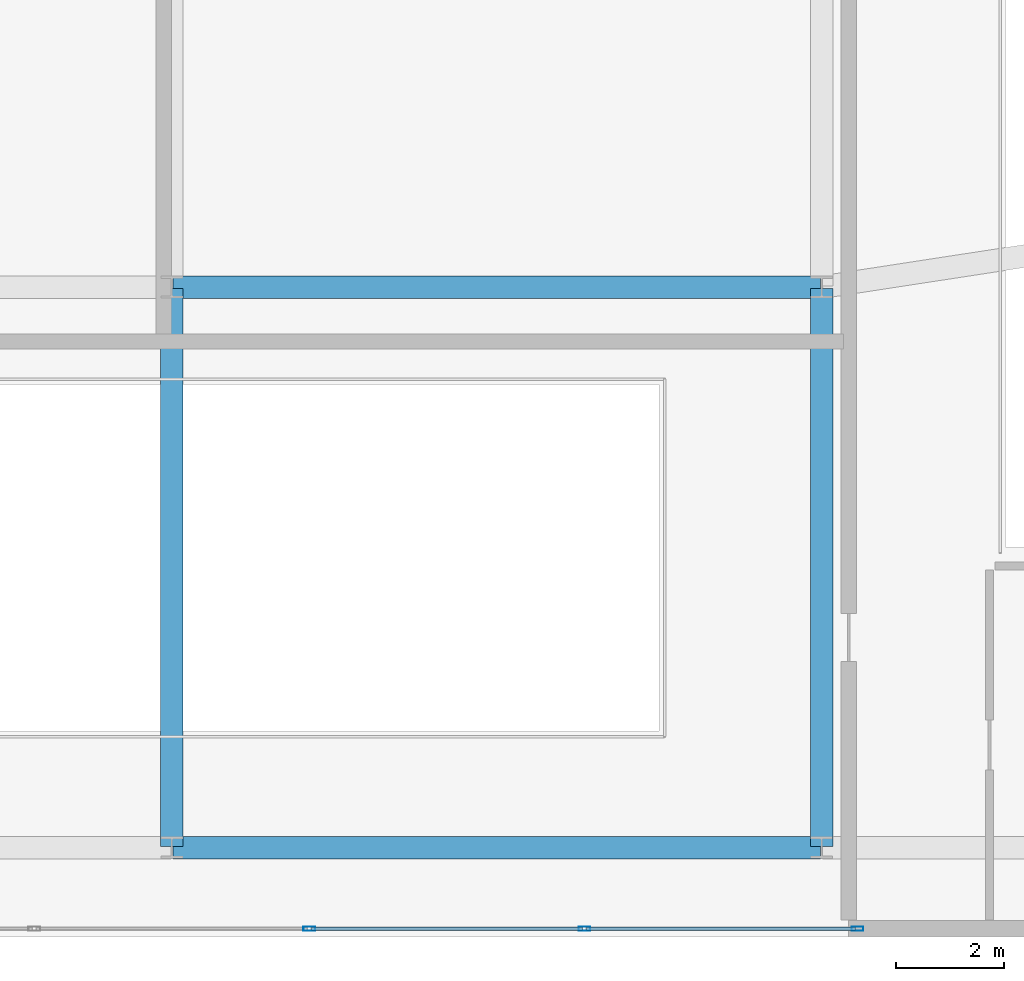
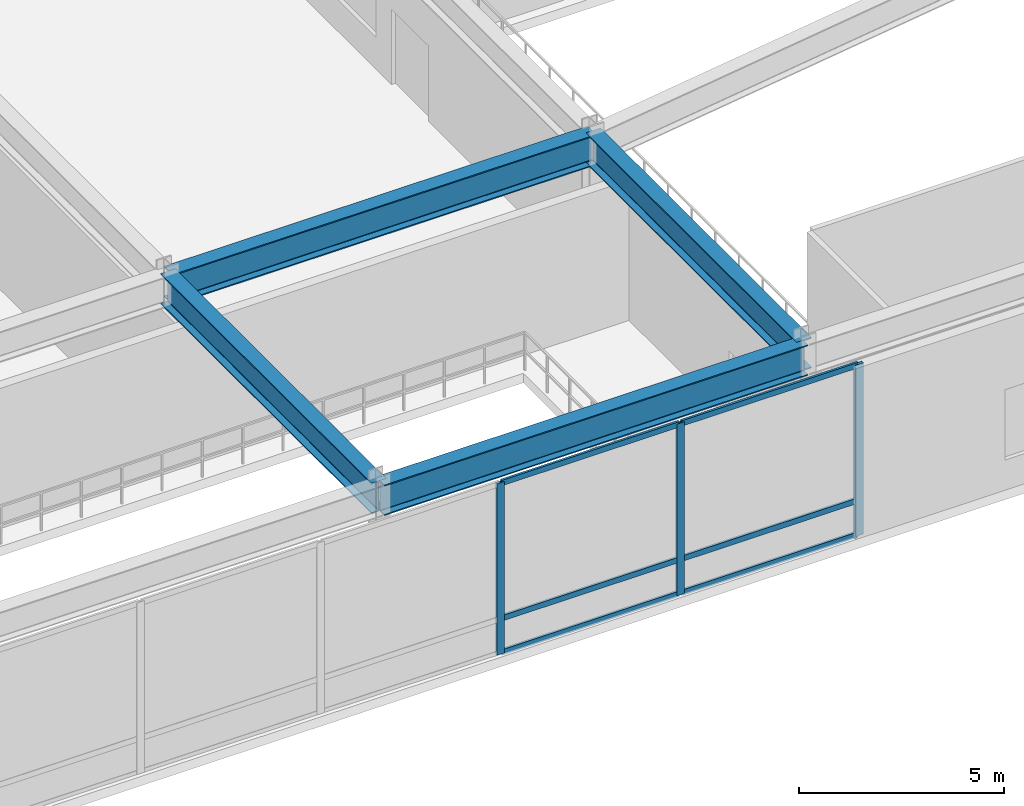
# One storey, part 6 of 13: 9 members, 4 beams, 1 element without a shape of its own.
"""IFC4 building model written with IfcOpenShell, lengths in metres."""

from ifc_helpers import new_model, si_unit, direction, frame, origin, origin_2d, place, context, subcontext, project, spatial, hollow_rectangle, i_section, extrude, source, transform, mapped, material, layer, layer_set, material_profile, profile_set, type_object, type_shapes, element, aggregate, save


model = new_model("IFC4")

# Units and contexts
model_context = context("Model", 3, precision=1e-05, world=origin(), true_north=direction((0.0, 1.0)))
body_context = subcontext(model_context, "Body", "Model", "MODEL_VIEW")
ifc_project = project(units=[si_unit("LENGTHUNIT", "METRE"), si_unit("AREAUNIT", "SQUARE_METRE"), si_unit("VOLUMEUNIT", "CUBIC_METRE"), si_unit("PLANEANGLEUNIT", "RADIAN"), si_unit("MASSUNIT", "GRAM", prefix="KILO")], contexts=[model_context])

# Site, building, storey
site_placement = place(None, origin())
site = spatial("IfcSite", under=ifc_project, at=site_placement, CompositionType="ELEMENT")
building_placement = place(site_placement, origin())
building = spatial("IfcBuilding", under=site, at=building_placement, Name="Varnel Quay Broadcast Tower", CompositionType="ELEMENT")
storey_placement = place(building_placement, frame((0.0, 0.0, 6.0)))
storey = spatial("IfcBuildingStorey", under=building, at=storey_placement, Name="L01", CompositionType="ELEMENT", Elevation=6.0)

# Beams
ifc_material_1 = material(Name="Structural Steel CSA G40.21 350W", Category="steel")
ifc_material_profile_1 = material_profile(ifc_material_1, i_section(OverallWidth=0.41796875, OverallDepth=0.912109375, WebThickness=0.019287109375, FlangeThickness=0.031982421875, FilletRadius=0.02197265625, at=origin_2d()), Name="W920X342")
ifc_profile_set_1 = profile_set([ifc_material_profile_1], Name="Structural Steel CSA G40.21 350W")
beam_type = type_object("IfcBeamType", Name="Girder_W920X342", PredefinedType="BEAM", material=ifc_profile_set_1)
shared_shape_1 = source(origin(), body_context, "Body", "SweptSolid", [
    extrude(i_section(OverallWidth=0.41796875, OverallDepth=0.912109375, WebThickness=0.019287109375, FlangeThickness=0.031982421875, FilletRadius=0.02197265625, at=origin_2d()), origin(), (0.0, 0.0, 1.0), 11.9599609375),
])
for number, where, z_axis, x_axis, name in (
    (1, (34.02001953125, 1.64990234375, 4.6640625), (1.0, 0.0, 0.0), (0.0, 1.0, 0.0), "L01 Girder G-PS3"),
    (2, (34.02001953125, 12.0, 4.6640625), (1.0, 0.0, 0.0), (0.0, 1.0, 0.0), "L01 Girder G-STC1B"),
):
    element("IfcBeam", number, at=place(storey_placement, frame(where, z_axis=z_axis, x_axis=x_axis)), inside=storey, type_object=beam_type, Name=name, PredefinedType="BEAM", context=body_context, shape_type="MappedRepresentation", body=[
        mapped(shared_shape_1, transform((0.0, 0.0, 0.0), x_axis=(1.0, 0.0, 0.0), y_axis=(0.0, 1.0, 0.0), z_axis=(0.0, 0.0, 1.0), scale=1.0)),
    ])
shared_shape_2 = source(origin(), body_context, "Body", "SweptSolid", [
    extrude(i_section(OverallWidth=0.41796875, OverallDepth=0.912109375, WebThickness=0.019287109375, FlangeThickness=0.031982421875, FilletRadius=0.02197265625, at=origin_2d()), origin(), (0.0, 0.0, 1.0), 10.31005859375),
])
type_shapes(beam_type, [shared_shape_1, shared_shape_2])
for number, where, z_axis, x_axis, name in (
    (3, (34.0, 1.669921875, 4.6640625), (0.0, 1.0, 0.0), (-1.0, 0.0, 0.0), "L01 Girder G-M2B"),
    (4, (46.0, 1.669921875, 4.6640625), (0.0, 1.0, 0.0), (-1.0, 0.0, 0.0), "L01 Girder G-M3"),
):
    element("IfcBeam", number, at=place(storey_placement, frame(where, z_axis=z_axis, x_axis=x_axis)), inside=storey, type_object=beam_type, Name=name, PredefinedType="BEAM", context=body_context, shape_type="MappedRepresentation", body=[
        mapped(shared_shape_2, transform((0.0, 0.0, 0.0), x_axis=(1.0, 0.0, 0.0), y_axis=(0.0, 1.0, 0.0), z_axis=(0.0, 0.0, 1.0), scale=1.0)),
    ])

# Curtain wall, members
ifc_material_2 = material(Name="Anodised Bronze Aluminium 6063-T6", Category="aluminium")
ifc_layer = layer(ifc_material_2, 0.18994140625, Name="Anodised Bronze Aluminium 6063-T6")
ifc_layer_set = layer_set([ifc_layer], Name="Anodised Bronze Aluminium 6063-T6")
curtain_wall_type = type_object("IfcCurtainWallType", Name="CW_PodiumForum", PredefinedType="NOTDEFINED", material=ifc_layer_set)
curtain_wall_placement = place(storey_placement, origin())
curtain_wall = element("IfcCurtainWall", 5, at=curtain_wall_placement, inside=storey, type_object=curtain_wall_type, Name="L01 Waterfront Forum Curtain Wall", PredefinedType="NOTDEFINED")
ifc_material_profile_2 = material_profile(ifc_material_2, hollow_rectangle(XDim=0.074951171875, YDim=0.219970703125, WallThickness=0.00390625, at=origin_2d()), Name="ALU75X220X4")
ifc_profile_set_2 = profile_set([ifc_material_profile_2], Name="Anodised Bronze Aluminium 6063-T6")
member_type_1 = type_object("IfcMemberType", Name="Mull_CWS-01", PredefinedType="MULLION", material=ifc_profile_set_2)
shared_shape_3 = source(origin(), body_context, "Body", "SweptSolid", [
    extrude(hollow_rectangle(XDim=0.074951171875, YDim=0.219970703125, WallThickness=0.00390625, at=origin_2d()), origin(), (0.0, 0.0, 1.0), 5.1201171875),
])
type_shapes(member_type_1, [shared_shape_3])
member_1_placement = place(storey_placement, frame((36.5400390625, 0.14990234375, 0.0), z_axis=(0.0, 0.0, 1.0), x_axis=(0.0, 1.0, 0.0)))
member_1 = element("IfcMember", 6, at=member_1_placement, type_object=member_type_1, Name="CWS-01 mullion 4", PredefinedType="MULLION", context=body_context, shape_type="MappedRepresentation", body=[
    mapped(shared_shape_3, transform((0.0, 0.0, 0.0), x_axis=(1.0, 0.0, 0.0), y_axis=(0.0, 1.0, 0.0), z_axis=(0.0, 0.0, 1.0), scale=1.0)),
])
member_2_placement = place(storey_placement, frame((41.6201171875, 0.14990234375, 0.0), z_axis=(0.0, 0.0, 1.0), x_axis=(0.0, 1.0, 0.0)))
member_2 = element("IfcMember", 7, at=member_2_placement, type_object=member_type_1, Name="CWS-01 mullion 5", PredefinedType="MULLION", context=body_context, shape_type="MappedRepresentation", body=[
    mapped(shared_shape_3, transform((0.0, 0.0, 0.0), x_axis=(1.0, 0.0, 0.0), y_axis=(0.0, 1.0, 0.0), z_axis=(0.0, 0.0, 1.0), scale=1.0)),
])
member_3_placement = place(storey_placement, frame((46.66259765625, 0.14990234375, 0.0), z_axis=(0.0, 0.0, 1.0), x_axis=(0.0, 1.0, 0.0)))
member_3 = element("IfcMember", 8, at=member_3_placement, type_object=member_type_1, Name="CWS-01 mullion 6", PredefinedType="MULLION", context=body_context, shape_type="MappedRepresentation", body=[
    mapped(shared_shape_3, transform((0.0, 0.0, 0.0), x_axis=(1.0, 0.0, 0.0), y_axis=(0.0, 1.0, 0.0), z_axis=(0.0, 0.0, 1.0), scale=1.0)),
])
ifc_material_profile_3 = material_profile(ifc_material_2, hollow_rectangle(XDim=0.06494140625, YDim=0.1650390625, WallThickness=0.00341796875, at=origin_2d()), Name="ALU65X165X3.5")
ifc_profile_set_3 = profile_set([ifc_material_profile_3], Name="Anodised Bronze Aluminium 6063-T6")
member_type_2 = type_object("IfcMemberType", Name="Tran_CWS-01", PredefinedType="USERDEFINED", material=ifc_profile_set_3)
shared_shape_4 = source(origin(), body_context, "Body", "SweptSolid", [
    extrude(hollow_rectangle(XDim=0.06494140625, YDim=0.1650390625, WallThickness=0.00341796875, at=origin_2d()), origin(), (0.0, 0.0, 1.0), 4.967529296875),
])
member_4_placement = place(storey_placement, frame((41.657470703125, 0.14990234375, 0.032470703125), z_axis=(1.0, 0.0, 0.0), x_axis=(0.0, 1.0, 0.0)))
member_4 = element("IfcMember", 9, at=member_4_placement, type_object=member_type_2, Name="CWS-01 transom 5.1", ObjectType="TRANSOM", PredefinedType="USERDEFINED", context=body_context, shape_type="MappedRepresentation", body=[
    mapped(shared_shape_4, transform((0.0, 0.0, 0.0), x_axis=(1.0, 0.0, 0.0), y_axis=(0.0, 1.0, 0.0), z_axis=(0.0, 0.0, 1.0), scale=1.0)),
])
member_5_placement = place(storey_placement, frame((41.657470703125, 0.14990234375, 1.050048828125), z_axis=(1.0, 0.0, 0.0), x_axis=(0.0, 1.0, 0.0)))
member_5 = element("IfcMember", 10, at=member_5_placement, type_object=member_type_2, Name="CWS-01 transom 5.2", ObjectType="TRANSOM", PredefinedType="USERDEFINED", context=body_context, shape_type="MappedRepresentation", body=[
    mapped(shared_shape_4, transform((0.0, 0.0, 0.0), x_axis=(1.0, 0.0, 0.0), y_axis=(0.0, 1.0, 0.0), z_axis=(0.0, 0.0, 1.0), scale=1.0)),
])
member_6_placement = place(storey_placement, frame((41.657470703125, 0.14990234375, 5.08740234375), z_axis=(1.0, 0.0, 0.0), x_axis=(0.0, 1.0, 0.0)))
member_6 = element("IfcMember", 11, at=member_6_placement, type_object=member_type_2, Name="CWS-01 transom 5.3", ObjectType="TRANSOM", PredefinedType="USERDEFINED", context=body_context, shape_type="MappedRepresentation", body=[
    mapped(shared_shape_4, transform((0.0, 0.0, 0.0), x_axis=(1.0, 0.0, 0.0), y_axis=(0.0, 1.0, 0.0), z_axis=(0.0, 0.0, 1.0), scale=1.0)),
])
shared_shape_5 = source(origin(), body_context, "Body", "SweptSolid", [
    extrude(hollow_rectangle(XDim=0.06494140625, YDim=0.1650390625, WallThickness=0.00341796875, at=origin_2d()), origin(), (0.0, 0.0, 1.0), 5.005126953125),
])
type_shapes(member_type_2, [shared_shape_4, shared_shape_5])
member_7_placement = place(storey_placement, frame((36.577392578125, 0.14990234375, 0.032470703125), z_axis=(1.0, 0.0, 0.0), x_axis=(0.0, 1.0, 0.0)))
member_7 = element("IfcMember", 12, at=member_7_placement, type_object=member_type_2, Name="CWS-01 transom 4.1", ObjectType="TRANSOM", PredefinedType="USERDEFINED", context=body_context, shape_type="MappedRepresentation", body=[
    mapped(shared_shape_5, transform((0.0, 0.0, 0.0), x_axis=(1.0, 0.0, 0.0), y_axis=(0.0, 1.0, 0.0), z_axis=(0.0, 0.0, 1.0), scale=1.0)),
])
member_8_placement = place(storey_placement, frame((36.577392578125, 0.14990234375, 1.050048828125), z_axis=(1.0, 0.0, 0.0), x_axis=(0.0, 1.0, 0.0)))
member_8 = element("IfcMember", 13, at=member_8_placement, type_object=member_type_2, Name="CWS-01 transom 4.2", ObjectType="TRANSOM", PredefinedType="USERDEFINED", context=body_context, shape_type="MappedRepresentation", body=[
    mapped(shared_shape_5, transform((0.0, 0.0, 0.0), x_axis=(1.0, 0.0, 0.0), y_axis=(0.0, 1.0, 0.0), z_axis=(0.0, 0.0, 1.0), scale=1.0)),
])
member_9_placement = place(storey_placement, frame((36.577392578125, 0.14990234375, 5.08740234375), z_axis=(1.0, 0.0, 0.0), x_axis=(0.0, 1.0, 0.0)))
member_9 = element("IfcMember", 14, at=member_9_placement, type_object=member_type_2, Name="CWS-01 transom 4.3", ObjectType="TRANSOM", PredefinedType="USERDEFINED", context=body_context, shape_type="MappedRepresentation", body=[
    mapped(shared_shape_5, transform((0.0, 0.0, 0.0), x_axis=(1.0, 0.0, 0.0), y_axis=(0.0, 1.0, 0.0), z_axis=(0.0, 0.0, 1.0), scale=1.0)),
])
aggregate(curtain_wall, [member_1, member_2, member_3, member_7, member_8, member_9, member_4, member_5, member_6])

save(model, "model.ifc")
